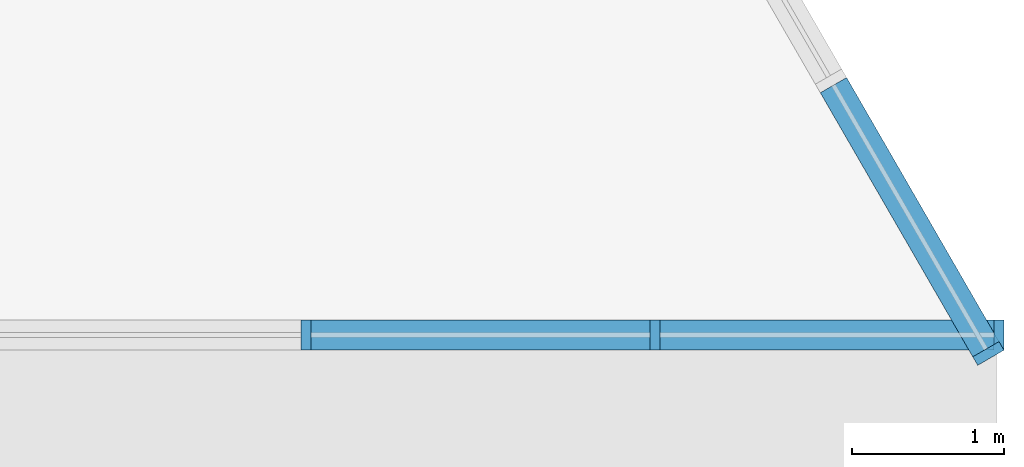
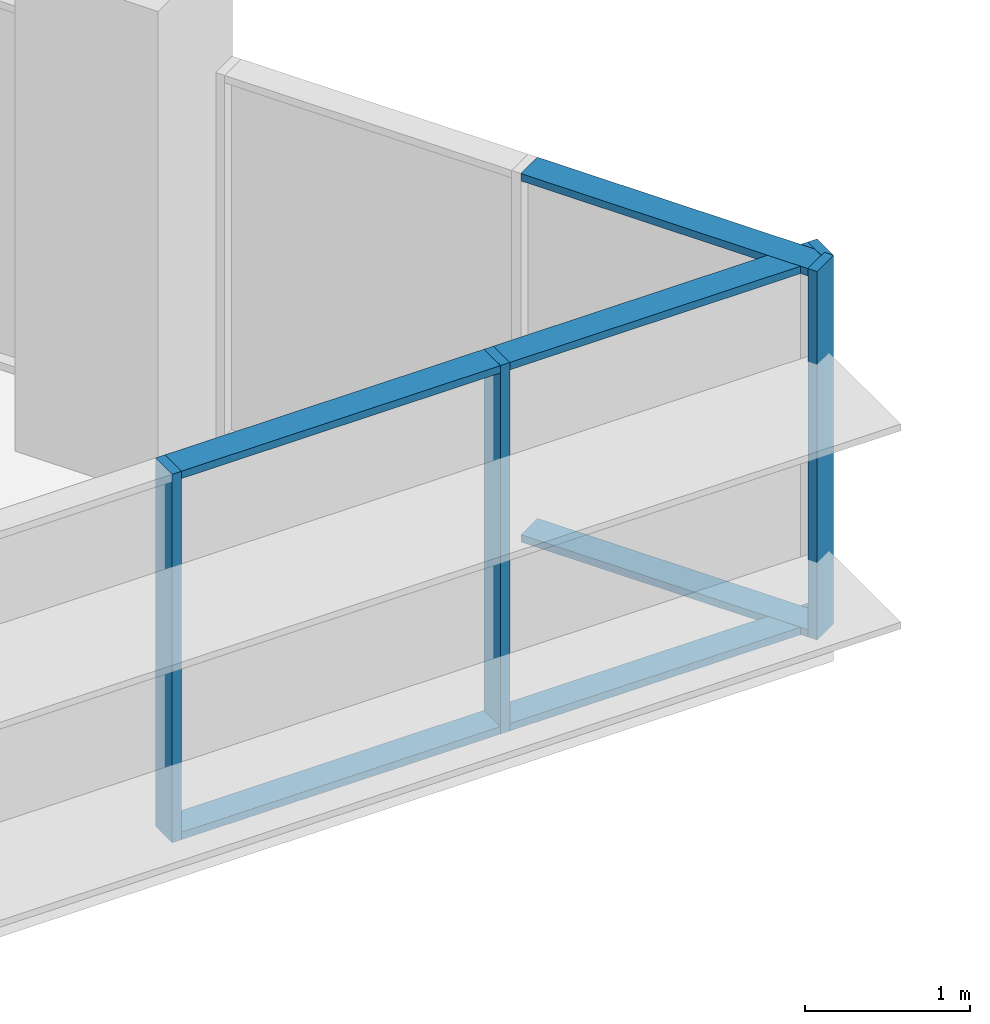
# One storey, part 5 of 15: 10 members, 2 elements without a shape of their own.
"""IFC4 building model written with IfcOpenShell, lengths in metres."""

from ifc_helpers import new_model, si_unit, direction, frame, origin, origin_2d, place, context, subcontext, project, spatial, rectangle, extrude, material, layer, layer_set, material_profile, profile_set, type_object, element, aggregate, save


model = new_model("IFC4")

# Units and contexts
model_context = context("Model", 3, precision=1e-05, world=origin(), true_north=direction((0.0, 1.0)))
body_context = subcontext(model_context, "Body", "Model", "MODEL_VIEW")
ifc_project = project(units=[si_unit("LENGTHUNIT", "METRE"), si_unit("AREAUNIT", "SQUARE_METRE"), si_unit("VOLUMEUNIT", "CUBIC_METRE"), si_unit("PLANEANGLEUNIT", "RADIAN"), si_unit("MASSUNIT", "GRAM", prefix="KILO")], contexts=[model_context])

# Site, building, storey
site_placement = place(None, origin())
site = spatial("IfcSite", under=ifc_project, at=site_placement, CompositionType="ELEMENT")
building_placement = place(site_placement, origin())
building = spatial("IfcBuilding", under=site, at=building_placement, Name="Nakaniwa Court", CompositionType="ELEMENT")
storey_placement = place(building_placement, frame((0.0, 0.0, 283.199951171875)))
storey = spatial("IfcBuildingStorey", under=building, at=storey_placement, Name="C04", CompositionType="ELEMENT", Elevation=283.199951171875)

# Curtain wall, members
ifc_material_1 = material(Name="Black anodised aluminium frame with dark low-E laminated double glazing", Category="aluminium")
ifc_layer = layer(ifc_material_1, 0.199951171875)
ifc_layer_set = layer_set([ifc_layer], Name="Black anodised aluminium frame with dark low-E laminated double glazing")
curtain_wall_type = type_object("IfcCurtainWallType", Name="Crown curtain wall", PredefinedType="NOTDEFINED", material=ifc_layer_set)
curtain_wall_1_placement = place(storey_placement, origin())
curtain_wall_1 = element("IfcCurtainWall", 1, at=curtain_wall_1_placement, inside=storey, type_object=curtain_wall_type, Name="C04 curtain wall CW4 17", PredefinedType="NOTDEFINED")
ifc_material_2 = material(Name="Black anodised aluminium extrusion", Category="aluminium")
ifc_material_profile_1 = material_profile(ifc_material_2, rectangle(XDim=0.199951171875, YDim=0.06494140625, at=origin_2d()), Name="Crown curtain wall mullion 65x200")
ifc_profile_set_1 = profile_set([ifc_material_profile_1], Name="Black anodised aluminium extrusion")
member_type_1 = type_object("IfcMemberType", Name="Crown curtain wall mullion 65x200", PredefinedType="MULLION", material=ifc_profile_set_1)
member_1_placement = place(storey_placement, frame((97.287353515625, 87.5, 0.0), z_axis=(0.0, 0.0, 1.0), x_axis=(0.0, 1.0, 0.0)))
member_1 = element("IfcMember", 2, at=member_1_placement, type_object=member_type_1, Name="CW4 mullion 4", PredefinedType="MULLION", context=body_context, shape_type="SweptSolid", body=[
    extrude(rectangle(XDim=0.199951171875, YDim=0.06494140625, at=origin_2d()), origin(), (0.0, 0.0, 1.0), 2.72509765625),
])
member_2_placement = place(storey_placement, frame((99.58447265625, 87.5, 0.0), z_axis=(0.0, 0.0, 1.0), x_axis=(0.0, 1.0, 0.0)))
member_2 = element("IfcMember", 3, at=member_2_placement, type_object=member_type_1, Name="CW4 mullion 5", PredefinedType="MULLION", context=body_context, shape_type="SweptSolid", body=[
    extrude(rectangle(XDim=0.199951171875, YDim=0.06494140625, at=origin_2d()), origin(), (0.0, 0.0, 1.0), 2.72509765625),
])
member_3_placement = place(storey_placement, frame((101.84912109375, 87.5, 0.0), z_axis=(0.0, 0.0, 1.0), x_axis=(0.0, 1.0, 0.0)))
member_3 = element("IfcMember", 4, at=member_3_placement, type_object=member_type_1, Name="CW4 mullion 6", PredefinedType="MULLION", context=body_context, shape_type="SweptSolid", body=[
    extrude(rectangle(XDim=0.199951171875, YDim=0.06494140625, at=origin_2d()), origin(), (0.0, 0.0, 1.0), 2.72509765625),
])

# Curtain wall, member
curtain_wall_2_placement = place(storey_placement, origin())
curtain_wall_2 = element("IfcCurtainWall", 5, at=curtain_wall_2_placement, inside=storey, type_object=curtain_wall_type, Name="C04 curtain wall CW4 18", PredefinedType="NOTDEFINED")
member_4_placement = place(storey_placement, frame((101.77880859375, 87.378173828125, 0.0), z_axis=(0.0, 0.0, 1.0), x_axis=(-0.866021000852, -0.500007626024, 0.0)))
member_4 = element("IfcMember", 6, at=member_4_placement, type_object=member_type_1, Name="CW4 mullion 1", PredefinedType="MULLION", context=body_context, shape_type="SweptSolid", body=[
    extrude(rectangle(XDim=0.199951171875, YDim=0.06494140625, at=origin_2d()), origin(), (0.0, 0.0, 1.0), 2.72509765625),
])

# Member
ifc_material_profile_2 = material_profile(ifc_material_2, rectangle(XDim=0.199951171875, YDim=0.054931640625, at=origin_2d()), Name="Crown curtain wall transom 55x200")
ifc_profile_set_2 = profile_set([ifc_material_profile_2], Name="Black anodised aluminium extrusion")
member_type_2 = type_object("IfcMemberType", Name="Crown curtain wall transom 55x200", PredefinedType="USERDEFINED", material=ifc_profile_set_2)
member_5_placement = place(storey_placement, frame((97.31982421875, 87.5, 0.027587890625), z_axis=(1.0, 0.0, 0.0), x_axis=(0.0, 1.0, 0.0)))
member_5 = element("IfcMember", 7, at=member_5_placement, type_object=member_type_2, Name="CW4 transom 4.1", ObjectType="TRANSOM", PredefinedType="USERDEFINED", context=body_context, shape_type="SweptSolid", body=[
    extrude(rectangle(XDim=0.199951171875, YDim=0.054931640625, at=origin_2d()), origin(), (0.0, 0.0, 1.0), 2.232177734375),
])

member_6_placement = place(storey_placement, frame((97.31982421875, 87.5, 2.697509765625), z_axis=(1.0, 0.0, 0.0), x_axis=(0.0, 1.0, 0.0)))
member_6 = element("IfcMember", 8, at=member_6_placement, type_object=member_type_2, Name="CW4 transom 4.2", ObjectType="TRANSOM", PredefinedType="USERDEFINED", context=body_context, shape_type="SweptSolid", body=[
    extrude(rectangle(XDim=0.199951171875, YDim=0.054931640625, at=origin_2d()), origin(), (0.0, 0.0, 1.0), 2.232177734375),
])

member_7_placement = place(storey_placement, frame((99.616943359375, 87.5, 0.027587890625), z_axis=(1.0, 0.0, 0.0), x_axis=(0.0, 1.0, 0.0)))
member_7 = element("IfcMember", 9, at=member_7_placement, type_object=member_type_2, Name="CW4 transom 5.1", ObjectType="TRANSOM", PredefinedType="USERDEFINED", context=body_context, shape_type="SweptSolid", body=[
    extrude(rectangle(XDim=0.199951171875, YDim=0.054931640625, at=origin_2d()), origin(), (0.0, 0.0, 1.0), 2.19970703125),
])

member_8_placement = place(storey_placement, frame((99.616943359375, 87.5, 2.697509765625), z_axis=(1.0, 0.0, 0.0), x_axis=(0.0, 1.0, 0.0)))
member_8 = element("IfcMember", 10, at=member_8_placement, type_object=member_type_2, Name="CW4 transom 5.2", ObjectType="TRANSOM", PredefinedType="USERDEFINED", context=body_context, shape_type="SweptSolid", body=[
    extrude(rectangle(XDim=0.199951171875, YDim=0.054931640625, at=origin_2d()), origin(), (0.0, 0.0, 1.0), 2.19970703125),
])

aggregate(curtain_wall_1, [member_1, member_2, member_3, member_5, member_6, member_7, member_8])

member_9_placement = place(storey_placement, frame((101.762451171875, 87.40625, 0.027587890625), z_axis=(-0.499933044277, 0.866064057238, 0.0), x_axis=(-0.866064057238, -0.499933044277, 0.0)))
member_9 = element("IfcMember", 11, at=member_9_placement, type_object=member_type_2, Name="CW4 transom 1.1", ObjectType="TRANSOM", PredefinedType="USERDEFINED", context=body_context, shape_type="SweptSolid", body=[
    extrude(rectangle(XDim=0.199951171875, YDim=0.054931640625, at=origin_2d()), origin(), (0.0, 0.0, 1.0), 2.007080078125),
])

member_10_placement = place(storey_placement, frame((101.762451171875, 87.40625, 2.697509765625), z_axis=(-0.499933044277, 0.866064057238, 0.0), x_axis=(-0.866064057238, -0.499933044277, 0.0)))
member_10 = element("IfcMember", 12, at=member_10_placement, type_object=member_type_2, Name="CW4 transom 1.2", ObjectType="TRANSOM", PredefinedType="USERDEFINED", context=body_context, shape_type="SweptSolid", body=[
    extrude(rectangle(XDim=0.199951171875, YDim=0.054931640625, at=origin_2d()), origin(), (0.0, 0.0, 1.0), 2.007080078125),
])

aggregate(curtain_wall_2, [member_4, member_9, member_10])

save(model, "model.ifc")
